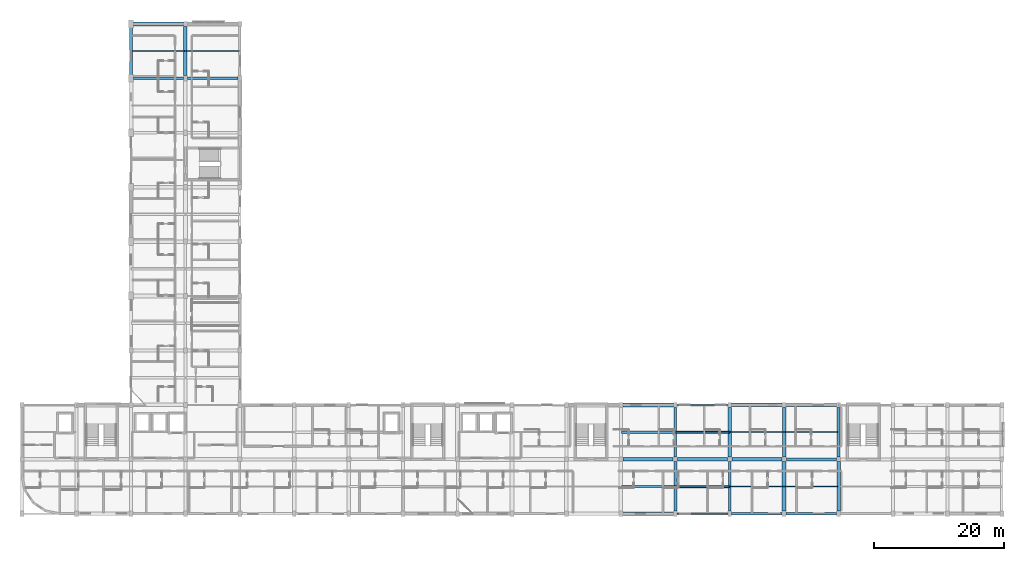
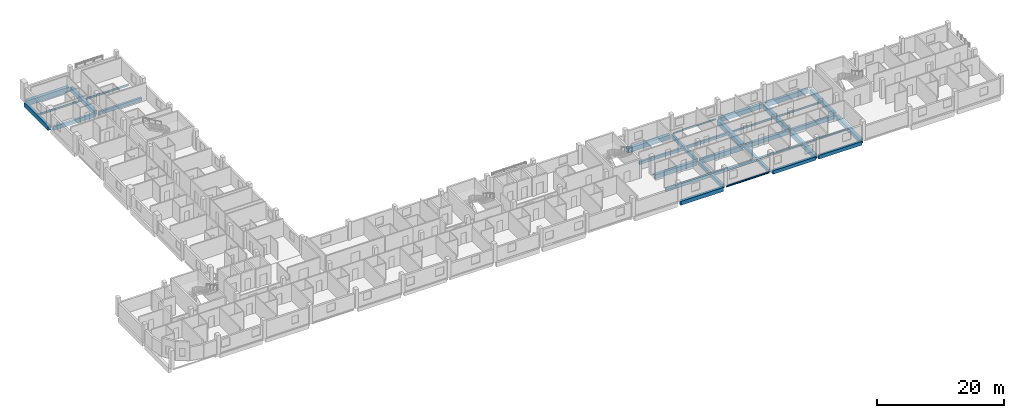
# One storey, part 5 of 26: 35 beams.
"""IFC4 building model written with IfcOpenShell, lengths in metres."""

from ifc_helpers import new_model, si_unit, derived_unit, direction, frame, origin, origin_2d, place, context, subcontext, project, spatial, rectangle, i_section, extrude, material, material_profile, profile_set, type_object, element, save


model = new_model("IFC4")

# Units and contexts
model_context = context("Model", 3, precision=1e-05, world=origin(), true_north=direction((0.0, 1.0)))
body_context = subcontext(model_context, "Body", "Model", "MODEL_VIEW")
ifc_project = project(units=[si_unit("LENGTHUNIT", "METRE"), si_unit("AREAUNIT", "SQUARE_METRE"), si_unit("VOLUMEUNIT", "CUBIC_METRE"), si_unit("PLANEANGLEUNIT", "RADIAN"), si_unit("MASSUNIT", "GRAM", prefix="KILO"), derived_unit("THERMALTRANSMITTANCEUNIT", [(si_unit("POWERUNIT", "WATT"), 1), (si_unit("LENGTHUNIT", "METRE"), -2), (si_unit("THERMODYNAMICTEMPERATUREUNIT", "KELVIN"), -1)])], contexts=[model_context])

# Site, building, storey
site_placement = place(None, origin())
site = spatial("IfcSite", under=ifc_project, at=site_placement, CompositionType="ELEMENT")
building_placement = place(site_placement, origin())
building = spatial("IfcBuilding", under=site, at=building_placement, Name="Barrovel Congress Hotel", CompositionType="ELEMENT")
storey_placement = place(building_placement, frame((0.0, 0.0, 21.89990234375)))
storey = spatial("IfcBuildingStorey", under=building, at=storey_placement, Name="L05", CompositionType="ELEMENT", Elevation=21.89990234375)

# Beams
ifc_material_1 = material(Name="Concrete C40", Category="concrete")
ifc_material_profile_1 = material_profile(ifc_material_1, rectangle(XDim=0.300048828125, YDim=0.5, at=origin_2d()), Name="RC300x500")
ifc_profile_set_1 = profile_set([ifc_material_profile_1], Name="Concrete C40")
beam_type_1 = type_object("IfcBeamType", Name="BM-RC300x500", PredefinedType="JOIST", material=ifc_profile_set_1)
beam_1_placement = place(storey_placement, frame((117.679931640625, 16.800048828125, -0.469970703125), z_axis=(1.0, 0.0, 0.0), x_axis=(0.0, 1.0, 0.0)))
element("IfcBeam", 1, at=beam_1_placement, inside=storey, type_object=beam_type_1, Name="JST:L05:117.6:16.8", PredefinedType="JOIST", context=body_context, shape_type="SweptSolid", body=[
    extrude(rectangle(XDim=0.300048828125, YDim=0.5, at=origin_2d()), origin(), (0.0, 0.0, 1.0), 8.239990234375),
])
ifc_material_profile_2 = material_profile(ifc_material_1, rectangle(XDim=0.300048828125, YDim=0.60009765625, at=origin_2d()), Name="RC300x600")
ifc_profile_set_2 = profile_set([ifc_material_profile_2], Name="Concrete C40")
beam_type_2 = type_object("IfcBeamType", Name="BM-RC300x600", PredefinedType="JOIST", material=ifc_profile_set_2)
beam_2_placement = place(storey_placement, frame((117.679931640625, 8.39990234375, -0.52001953125), z_axis=(1.0, 0.0, 0.0), x_axis=(0.0, 1.0, 0.0)))
element("IfcBeam", 2, at=beam_2_placement, inside=storey, type_object=beam_type_2, Name="JST:L05:117.6:8.4", PredefinedType="JOIST", context=body_context, shape_type="SweptSolid", body=[
    extrude(rectangle(XDim=0.300048828125, YDim=0.60009765625, at=origin_2d()), origin(), (0.0, 0.0, 1.0), 8.239990234375),
])
ifc_material_profile_3 = material_profile(ifc_material_1, rectangle(XDim=0.35009765625, YDim=0.550048828125, at=origin_2d()), Name="RC350x550")
ifc_profile_set_3 = profile_set([ifc_material_profile_3], Name="Concrete C40")
beam_type_3 = type_object("IfcBeamType", Name="BM-RC350x550", PredefinedType="JOIST", material=ifc_profile_set_3)
beam_3_placement = place(storey_placement, frame((109.280029296875, 16.800048828125, -0.494873046875), z_axis=(1.0, 0.0, 0.0), x_axis=(0.0, 1.0, 0.0)))
element("IfcBeam", 3, at=beam_3_placement, inside=storey, type_object=beam_type_3, Name="JST:L05:109.2:16.8", PredefinedType="JOIST", context=body_context, shape_type="SweptSolid", body=[
    extrude(rectangle(XDim=0.35009765625, YDim=0.550048828125, at=origin_2d()), origin(), (0.0, 0.0, 1.0), 8.239990234375),
])
ifc_material_profile_4 = material_profile(ifc_material_1, rectangle(XDim=0.35009765625, YDim=0.64990234375, at=origin_2d()), Name="RC350x650")
ifc_profile_set_4 = profile_set([ifc_material_profile_4], Name="Concrete C40")
beam_type_4 = type_object("IfcBeamType", Name="BM-RC350x650", PredefinedType="JOIST", material=ifc_profile_set_4)
beam_4_placement = place(storey_placement, frame((109.280029296875, 8.39990234375, -0.544921875), z_axis=(1.0, 0.0, 0.0), x_axis=(0.0, 1.0, 0.0)))
element("IfcBeam", 4, at=beam_4_placement, inside=storey, type_object=beam_type_4, Name="JST:L05:109.2:8.4", PredefinedType="JOIST", context=body_context, shape_type="SweptSolid", body=[
    extrude(rectangle(XDim=0.35009765625, YDim=0.64990234375, at=origin_2d()), origin(), (0.0, 0.0, 1.0), 8.239990234375),
])
ifc_material_profile_5 = material_profile(ifc_material_1, rectangle(XDim=0.39990234375, YDim=0.60009765625, at=origin_2d()), Name="RC400x600")
ifc_profile_set_5 = profile_set([ifc_material_profile_5], Name="Concrete C40")
beam_type_5 = type_object("IfcBeamType", Name="BM-RC400x600", PredefinedType="BEAM", material=ifc_profile_set_5)
beam_5_placement = place(storey_placement, frame((42.300048828125, 71.39990234375, -0.52001953125), z_axis=(1.0, 0.0, 0.0), x_axis=(0.0, 1.0, 0.0)))
element("IfcBeam", 5, at=beam_5_placement, inside=storey, type_object=beam_type_5, Name="BMX:L05:71.4:42.0-50.4", PredefinedType="BEAM", context=body_context, shape_type="SweptSolid", body=[
    extrude(rectangle(XDim=0.39990234375, YDim=0.60009765625, at=origin_2d()), origin(), (0.0, 0.0, 1.0), 7.800048828125),
])
beam_6_placement = place(storey_placement, frame((126.0, 4.60009765625, -0.52001953125), z_axis=(0.0, 1.0, 0.0), x_axis=(-1.0, 0.0, 0.0)))
element("IfcBeam", 6, at=beam_6_placement, inside=storey, type_object=beam_type_5, Name="BMY:L05:126.0:4.2-12.6", PredefinedType="BEAM", context=body_context, shape_type="SweptSolid", body=[
    extrude(rectangle(XDim=0.39990234375, YDim=0.60009765625, at=origin_2d()), origin(), (0.0, 0.0, 1.0), 7.6748046875),
])
ifc_material_profile_6 = material_profile(ifc_material_1, rectangle(XDim=0.39990234375, YDim=0.699951171875, at=origin_2d()), Name="RC400x700")
ifc_profile_set_6 = profile_set([ifc_material_profile_6], Name="Concrete C40")
beam_type_6 = type_object("IfcBeamType", Name="BM-RC400x700", PredefinedType="BEAM", material=ifc_profile_set_6)
beam_7_placement = place(storey_placement, frame((134.699951171875, 4.199951171875, -0.56982421875), z_axis=(1.0, 0.0, 0.0), x_axis=(0.0, 1.0, 0.0)))
element("IfcBeam", 7, at=beam_7_placement, inside=storey, type_object=beam_type_6, Name="BMX:L05:4.2:134.4-142.8", PredefinedType="BEAM", context=body_context, shape_type="SweptSolid", body=[
    extrude(rectangle(XDim=0.39990234375, YDim=0.699951171875, at=origin_2d()), origin(), (0.0, 0.0, 1.0), 7.800048828125),
])
beam_8_placement = place(storey_placement, frame((34.0, 71.39990234375, -0.56982421875), z_axis=(1.0, 0.0, 0.0), x_axis=(0.0, 1.0, 0.0)))
element("IfcBeam", 8, at=beam_8_placement, inside=storey, type_object=beam_type_6, Name="BMX:L05:71.4:33.6-42.0", PredefinedType="BEAM", context=body_context, shape_type="SweptSolid", body=[
    extrude(rectangle(XDim=0.39990234375, YDim=0.699951171875, at=origin_2d()), origin(), (0.0, 0.0, 1.0), 7.699951171875),
])
beam_9_placement = place(storey_placement, frame((117.60009765625, 12.925048828125, -0.56982421875), z_axis=(0.0, 1.0, 0.0), x_axis=(-1.0, 0.0, 0.0)))
element("IfcBeam", 9, at=beam_9_placement, inside=storey, type_object=beam_type_6, Name="BMY:L05:117.6:12.6-21.0", PredefinedType="BEAM", context=body_context, shape_type="SweptSolid", body=[
    extrude(rectangle(XDim=0.39990234375, YDim=0.699951171875, at=origin_2d()), origin(), (0.0, 0.0, 1.0), 7.675048828125),
])
ifc_material_profile_7 = material_profile(ifc_material_1, rectangle(XDim=0.449951171875, YDim=0.64990234375, at=origin_2d()), Name="RC450x650")
ifc_profile_set_7 = profile_set([ifc_material_profile_7], Name="Concrete C40")
beam_type_7 = type_object("IfcBeamType", Name="BM-RC450x650", PredefinedType="BEAM", material=ifc_profile_set_7)
beam_10_placement = place(storey_placement, frame((126.300048828125, 4.199951171875, -0.544921875), z_axis=(1.0, 0.0, 0.0), x_axis=(0.0, 1.0, 0.0)))
element("IfcBeam", 10, at=beam_10_placement, inside=storey, type_object=beam_type_7, Name="BMX:L05:4.2:126.0-134.4", PredefinedType="BEAM", context=body_context, shape_type="SweptSolid", body=[
    extrude(rectangle(XDim=0.449951171875, YDim=0.64990234375, at=origin_2d()), origin(), (0.0, 0.0, 1.0), 7.800048828125),
])
beam_11_placement = place(storey_placement, frame((117.60009765625, 4.60009765625, -0.544921875), z_axis=(0.0, 1.0, 0.0), x_axis=(-1.0, 0.0, 0.0)))
element("IfcBeam", 11, at=beam_11_placement, inside=storey, type_object=beam_type_7, Name="BMY:L05:117.6:4.2-12.6", PredefinedType="BEAM", context=body_context, shape_type="SweptSolid", body=[
    extrude(rectangle(XDim=0.449951171875, YDim=0.64990234375, at=origin_2d()), origin(), (0.0, 0.0, 1.0), 7.6748046875),
])
ifc_material_profile_8 = material_profile(ifc_material_1, rectangle(XDim=0.449951171875, YDim=0.75, at=origin_2d()), Name="RC450x750")
ifc_profile_set_8 = profile_set([ifc_material_profile_8], Name="Concrete C40")
beam_type_8 = type_object("IfcBeamType", Name="BM-RC450x750", PredefinedType="BEAM", material=ifc_profile_set_8)
beam_12_placement = place(storey_placement, frame((134.72509765625, 12.60009765625, -0.594970703125), z_axis=(1.0, 0.0, 0.0), x_axis=(0.0, 1.0, 0.0)))
element("IfcBeam", 12, at=beam_12_placement, inside=storey, type_object=beam_type_8, Name="BMX:L05:12.6:134.4-142.8", PredefinedType="BEAM", context=body_context, shape_type="SweptSolid", body=[
    extrude(rectangle(XDim=0.449951171875, YDim=0.75, at=origin_2d()), origin(), (0.0, 0.0, 1.0), 7.75),
])
ifc_material_profile_9 = material_profile(ifc_material_1, rectangle(XDim=0.5, YDim=0.75, at=origin_2d()), Name="RC500x750")
ifc_profile_set_9 = profile_set([ifc_material_profile_9], Name="Concrete C40")
beam_type_9 = type_object("IfcBeamType", Name="BM-RC500x750", PredefinedType="BEAM", material=ifc_profile_set_9)
beam_13_placement = place(storey_placement, frame((109.5, 4.199951171875, -0.594970703125), z_axis=(1.0, 0.0, 0.0), x_axis=(0.0, 1.0, 0.0)))
element("IfcBeam", 13, at=beam_13_placement, inside=storey, type_object=beam_type_9, Name="BMX:L05:4.2:109.2-117.6", PredefinedType="BEAM", context=body_context, shape_type="SweptSolid", body=[
    extrude(rectangle(XDim=0.5, YDim=0.75, at=origin_2d()), origin(), (0.0, 0.0, 1.0), 7.800048828125),
])
beam_14_placement = place(storey_placement, frame((126.324951171875, 12.60009765625, -0.594970703125), z_axis=(1.0, 0.0, 0.0), x_axis=(0.0, 1.0, 0.0)))
element("IfcBeam", 14, at=beam_14_placement, inside=storey, type_object=beam_type_9, Name="BMX:L05:12.6:126.0-134.4", PredefinedType="BEAM", context=body_context, shape_type="SweptSolid", body=[
    extrude(rectangle(XDim=0.5, YDim=0.75, at=origin_2d()), origin(), (0.0, 0.0, 1.0), 7.75),
])
ifc_material_profile_10 = material_profile(ifc_material_1, rectangle(XDim=0.5, YDim=0.85009765625, at=origin_2d()), Name="RC500x850")
ifc_profile_set_10 = profile_set([ifc_material_profile_10], Name="Concrete C40")
beam_type_10 = type_object("IfcBeamType", Name="BM-RC500x850", PredefinedType="BEAM", material=ifc_profile_set_10)
beam_15_placement = place(storey_placement, frame((117.925048828125, 12.60009765625, -0.64501953125), z_axis=(1.0, 0.0, 0.0), x_axis=(0.0, 1.0, 0.0)))
element("IfcBeam", 15, at=beam_15_placement, inside=storey, type_object=beam_type_10, Name="BMX:L05:12.6:117.6-126.0", PredefinedType="BEAM", context=body_context, shape_type="SweptSolid", body=[
    extrude(rectangle(XDim=0.5, YDim=0.85009765625, at=origin_2d()), origin(), (0.0, 0.0, 1.0), 7.75),
])
beam_16_placement = place(storey_placement, frame((134.699951171875, 21.0, -0.64501953125), z_axis=(1.0, 0.0, 0.0), x_axis=(0.0, 1.0, 0.0)))
element("IfcBeam", 16, at=beam_16_placement, inside=storey, type_object=beam_type_10, Name="BMX:L05:21.0:134.4-142.8", PredefinedType="BEAM", context=body_context, shape_type="SweptSolid", body=[
    extrude(rectangle(XDim=0.5, YDim=0.85009765625, at=origin_2d()), origin(), (0.0, 0.0, 1.0), 7.800048828125),
])
beam_17_placement = place(storey_placement, frame((33.60009765625, 71.85009765625, -0.64501953125), z_axis=(0.0, 1.0, 0.0), x_axis=(-1.0, 0.0, 0.0)))
element("IfcBeam", 17, at=beam_17_placement, inside=storey, type_object=beam_type_10, Name="BMY:L05:33.6:71.4-79.8", PredefinedType="BEAM", context=body_context, shape_type="SweptSolid", body=[
    extrude(rectangle(XDim=0.5, YDim=0.85009765625, at=origin_2d()), origin(), (0.0, 0.0, 1.0), 7.5),
])
beam_18_placement = place(storey_placement, frame((142.800048828125, 12.925048828125, -0.64501953125), z_axis=(0.0, 1.0, 0.0), x_axis=(-1.0, 0.0, 0.0)))
element("IfcBeam", 18, at=beam_18_placement, inside=storey, type_object=beam_type_10, Name="BMY:L05:142.8:12.6-21.0", PredefinedType="BEAM", context=body_context, shape_type="SweptSolid", body=[
    extrude(rectangle(XDim=0.5, YDim=0.85009765625, at=origin_2d()), origin(), (0.0, 0.0, 1.0), 7.675048828125),
])
ifc_material_profile_11 = material_profile(ifc_material_1, rectangle(XDim=0.550048828125, YDim=0.800048828125, at=origin_2d()), Name="RC550x800")
ifc_profile_set_11 = profile_set([ifc_material_profile_11], Name="Concrete C40")
beam_type_11 = type_object("IfcBeamType", Name="BM-RC550x800", PredefinedType="BEAM", material=ifc_profile_set_11)
beam_19_placement = place(storey_placement, frame((109.52490234375, 12.60009765625, -0.619873046875), z_axis=(1.0, 0.0, 0.0), x_axis=(0.0, 1.0, 0.0)))
element("IfcBeam", 19, at=beam_19_placement, inside=storey, type_object=beam_type_11, Name="BMX:L05:12.6:109.2-117.6", PredefinedType="BEAM", context=body_context, shape_type="SweptSolid", body=[
    extrude(rectangle(XDim=0.550048828125, YDim=0.800048828125, at=origin_2d()), origin(), (0.0, 0.0, 1.0), 7.75),
])
beam_20_placement = place(storey_placement, frame((126.300048828125, 21.0, -0.619873046875), z_axis=(1.0, 0.0, 0.0), x_axis=(0.0, 1.0, 0.0)))
element("IfcBeam", 20, at=beam_20_placement, inside=storey, type_object=beam_type_11, Name="BMX:L05:21.0:126.0-134.4", PredefinedType="BEAM", context=body_context, shape_type="SweptSolid", body=[
    extrude(rectangle(XDim=0.550048828125, YDim=0.800048828125, at=origin_2d()), origin(), (0.0, 0.0, 1.0), 7.800048828125),
])
beam_21_placement = place(storey_placement, frame((42.0, 71.800048828125, -0.619873046875), z_axis=(0.0, 1.0, 0.0), x_axis=(-1.0, 0.0, 0.0)))
element("IfcBeam", 21, at=beam_21_placement, inside=storey, type_object=beam_type_11, Name="BMY:L05:42.0:71.4-79.8", PredefinedType="BEAM", context=body_context, shape_type="SweptSolid", body=[
    extrude(rectangle(XDim=0.550048828125, YDim=0.800048828125, at=origin_2d()), origin(), (0.0, 0.0, 1.0), 7.599853515625),
])
beam_22_placement = place(storey_placement, frame((142.800048828125, 4.60009765625, -0.619873046875), z_axis=(0.0, 1.0, 0.0), x_axis=(-1.0, 0.0, 0.0)))
element("IfcBeam", 22, at=beam_22_placement, inside=storey, type_object=beam_type_11, Name="BMY:L05:142.8:4.2-12.6", PredefinedType="BEAM", context=body_context, shape_type="SweptSolid", body=[
    extrude(rectangle(XDim=0.550048828125, YDim=0.800048828125, at=origin_2d()), origin(), (0.0, 0.0, 1.0), 7.6748046875),
])
ifc_material_profile_12 = material_profile(ifc_material_1, rectangle(XDim=0.550048828125, YDim=0.89990234375, at=origin_2d()), Name="RC550x900")
ifc_profile_set_12 = profile_set([ifc_material_profile_12], Name="Concrete C40")
beam_type_12 = type_object("IfcBeamType", Name="BM-RC550x900", PredefinedType="BEAM", material=ifc_profile_set_12)
beam_23_placement = place(storey_placement, frame((134.39990234375, 12.925048828125, -0.669921875), z_axis=(0.0, 1.0, 0.0), x_axis=(-1.0, 0.0, 0.0)))
element("IfcBeam", 23, at=beam_23_placement, inside=storey, type_object=beam_type_12, Name="BMY:L05:134.4:12.6-21.0", PredefinedType="BEAM", context=body_context, shape_type="SweptSolid", body=[
    extrude(rectangle(XDim=0.550048828125, YDim=0.89990234375, at=origin_2d()), origin(), (0.0, 0.0, 1.0), 7.675048828125),
])
ifc_material_profile_13 = material_profile(ifc_material_1, rectangle(XDim=0.60009765625, YDim=0.85009765625, at=origin_2d()), Name="RC600x850")
ifc_profile_set_13 = profile_set([ifc_material_profile_13], Name="Concrete C40")
beam_type_13 = type_object("IfcBeamType", Name="BM-RC600x850", PredefinedType="BEAM", material=ifc_profile_set_13)
beam_24_placement = place(storey_placement, frame((109.5, 21.0, -0.64501953125), z_axis=(1.0, 0.0, 0.0), x_axis=(0.0, 1.0, 0.0)))
element("IfcBeam", 24, at=beam_24_placement, inside=storey, type_object=beam_type_13, Name="BMX:L05:21.0:109.2-117.6", PredefinedType="BEAM", context=body_context, shape_type="SweptSolid", body=[
    extrude(rectangle(XDim=0.60009765625, YDim=0.85009765625, at=origin_2d()), origin(), (0.0, 0.0, 1.0), 7.800048828125),
])
beam_25_placement = place(storey_placement, frame((134.39990234375, 4.60009765625, -0.64501953125), z_axis=(0.0, 1.0, 0.0), x_axis=(-1.0, 0.0, 0.0)))
element("IfcBeam", 25, at=beam_25_placement, inside=storey, type_object=beam_type_13, Name="BMY:L05:134.4:4.2-12.6", PredefinedType="BEAM", context=body_context, shape_type="SweptSolid", body=[
    extrude(rectangle(XDim=0.60009765625, YDim=0.85009765625, at=origin_2d()), origin(), (0.0, 0.0, 1.0), 7.6748046875),
])
ifc_material_profile_14 = material_profile(ifc_material_1, rectangle(XDim=0.60009765625, YDim=0.949951171875, at=origin_2d()), Name="RC600x950")
ifc_profile_set_14 = profile_set([ifc_material_profile_14], Name="Concrete C40")
beam_type_14 = type_object("IfcBeamType", Name="BM-RC600x950", PredefinedType="BEAM", material=ifc_profile_set_14)
beam_26_placement = place(storey_placement, frame((34.0, 79.800048828125, -0.69482421875), z_axis=(1.0, 0.0, 0.0), x_axis=(0.0, 1.0, 0.0)))
element("IfcBeam", 26, at=beam_26_placement, inside=storey, type_object=beam_type_14, Name="BMX:L05:79.8:33.6-42.0", PredefinedType="BEAM", context=body_context, shape_type="SweptSolid", body=[
    extrude(rectangle(XDim=0.60009765625, YDim=0.949951171875, at=origin_2d()), origin(), (0.0, 0.0, 1.0), 7.699951171875),
])
beam_27_placement = place(storey_placement, frame((126.0, 12.925048828125, -0.69482421875), z_axis=(0.0, 1.0, 0.0), x_axis=(-1.0, 0.0, 0.0)))
element("IfcBeam", 27, at=beam_27_placement, inside=storey, type_object=beam_type_14, Name="BMY:L05:126.0:12.6-21.0", PredefinedType="BEAM", context=body_context, shape_type="SweptSolid", body=[
    extrude(rectangle(XDim=0.60009765625, YDim=0.949951171875, at=origin_2d()), origin(), (0.0, 0.0, 1.0), 7.675048828125),
])
ifc_material_2 = material(Name="Steel ASTM A992 Grade 50", Category="steel")
ifc_material_profile_15 = material_profile(ifc_material_2, i_section(OverallWidth=0.201904296875, OverallDepth=0.2470703125, WebThickness=0.00732421875, FlangeThickness=0.010986328125, FilletRadius=0.011962890625, at=origin_2d()), Name="W250x49")
ifc_profile_set_15 = profile_set([ifc_material_profile_15], Name="Steel ASTM A992 Grade 50")
beam_type_15 = type_object("IfcBeamType", Name="SBM-W250x49", PredefinedType="SPANDREL", material=ifc_profile_set_15)
beam_28_placement = place(storey_placement, frame((117.89990234375, 21.0, -0.343505859375), z_axis=(1.0, 0.0, 0.0), x_axis=(0.0, 1.0, 0.0)))
element("IfcBeam", 28, at=beam_28_placement, inside=storey, type_object=beam_type_15, Name="BMX:L05:21.0:117.6-126.0", PredefinedType="SPANDREL", context=body_context, shape_type="SweptSolid", body=[
    extrude(i_section(OverallWidth=0.201904296875, OverallDepth=0.2470703125, WebThickness=0.00732421875, FlangeThickness=0.010986328125, FilletRadius=0.011962890625, at=origin_2d()), origin(), (0.0, 0.0, 1.0), 7.800048828125),
])
ifc_material_profile_16 = material_profile(ifc_material_2, i_section(OverallWidth=0.1669921875, OverallDepth=0.31689453125, WebThickness=0.007568359375, FlangeThickness=0.01318359375, FilletRadius=0.010986328125, at=origin_2d()), Name="W310x52")
ifc_profile_set_16 = profile_set([ifc_material_profile_16], Name="Steel ASTM A992 Grade 50")
beam_type_16 = type_object("IfcBeamType", Name="SBM-W310x52", PredefinedType="JOIST", material=ifc_profile_set_16)
beam_29_placement = place(storey_placement, frame((134.47998046875, 16.800048828125, -0.37841796875), z_axis=(1.0, 0.0, 0.0), x_axis=(0.0, 1.0, 0.0)))
element("IfcBeam", 29, at=beam_29_placement, inside=storey, type_object=beam_type_16, Name="JST:L05:134.4:16.8", PredefinedType="JOIST", context=body_context, shape_type="SweptSolid", body=[
    extrude(i_section(OverallWidth=0.1669921875, OverallDepth=0.31689453125, WebThickness=0.007568359375, FlangeThickness=0.01318359375, FilletRadius=0.010986328125, at=origin_2d()), origin(), (0.0, 0.0, 1.0), 8.239990234375),
])
ifc_material_profile_17 = material_profile(ifc_material_2, i_section(OverallWidth=0.205078125, OverallDepth=0.31005859375, WebThickness=0.009521484375, FlangeThickness=0.016357421875, FilletRadius=0.012939453125, at=origin_2d()), Name="W310x74")
ifc_profile_set_17 = profile_set([ifc_material_profile_17], Name="Steel ASTM A992 Grade 50")
beam_type_17 = type_object("IfcBeamType", Name="SBM-W310x74", PredefinedType="SPANDREL", material=ifc_profile_set_17)
beam_30_placement = place(storey_placement, frame((117.89990234375, 4.199951171875, -0.375), z_axis=(1.0, 0.0, 0.0), x_axis=(0.0, 1.0, 0.0)))
element("IfcBeam", 30, at=beam_30_placement, inside=storey, type_object=beam_type_17, Name="BMX:L05:4.2:117.6-126.0", PredefinedType="SPANDREL", context=body_context, shape_type="SweptSolid", body=[
    extrude(i_section(OverallWidth=0.205078125, OverallDepth=0.31005859375, WebThickness=0.009521484375, FlangeThickness=0.016357421875, FilletRadius=0.012939453125, at=origin_2d()), origin(), (0.0, 0.0, 1.0), 7.800048828125),
])
ifc_material_profile_18 = material_profile(ifc_material_2, i_section(OverallWidth=0.1708984375, OverallDepth=0.35205078125, WebThickness=0.0068359375, FlangeThickness=0.009765625, FilletRadius=0.011962890625, at=origin_2d()), Name="W360x44")
ifc_profile_set_18 = profile_set([ifc_material_profile_18], Name="Steel ASTM A992 Grade 50")
beam_type_18 = type_object("IfcBeamType", Name="SBM-W360x44", PredefinedType="JOIST", material=ifc_profile_set_18)
for number, where, z_axis, x_axis, name in (
    (31, (33.679931640625, 75.60009765625, -0.39599609375), (1.0, 0.0, 0.0), (0.0, 1.0, 0.0), "JST:L05:33.6:75.6"),
    (32, (134.47998046875, 8.39990234375, -0.39599609375), (1.0, 0.0, 0.0), (0.0, 1.0, 0.0), "JST:L05:134.4:8.4"),
):
    element("IfcBeam", number, at=place(storey_placement, frame(where, z_axis=z_axis, x_axis=x_axis)), inside=storey, type_object=beam_type_18, Name=name, PredefinedType="JOIST", context=body_context, shape_type="SweptSolid", body=[
        extrude(i_section(OverallWidth=0.1708984375, OverallDepth=0.35205078125, WebThickness=0.0068359375, FlangeThickness=0.009765625, FilletRadius=0.011962890625, at=origin_2d()), origin(), (0.0, 0.0, 1.0), 8.239990234375),
    ])
ifc_material_profile_19 = material_profile(ifc_material_2, i_section(OverallWidth=0.172119140625, OverallDepth=0.35791015625, WebThickness=0.0078125, FlangeThickness=0.01318359375, FilletRadius=0.011962890625, at=origin_2d()), Name="W360x57")
ifc_profile_set_19 = profile_set([ifc_material_profile_19], Name="Steel ASTM A992 Grade 50")
beam_type_19 = type_object("IfcBeamType", Name="SBM-W360x57", PredefinedType="JOIST", material=ifc_profile_set_19)
for number, where, z_axis, x_axis, name in (
    (33, (42.080078125, 75.60009765625, -0.39892578125), (1.0, 0.0, 0.0), (0.0, 1.0, 0.0), "JST:L05:42.0:75.6"),
    (34, (126.080078125, 16.800048828125, -0.39892578125), (1.0, 0.0, 0.0), (0.0, 1.0, 0.0), "JST:L05:126.0:16.8"),
):
    element("IfcBeam", number, at=place(storey_placement, frame(where, z_axis=z_axis, x_axis=x_axis)), inside=storey, type_object=beam_type_19, Name=name, PredefinedType="JOIST", context=body_context, shape_type="SweptSolid", body=[
        extrude(i_section(OverallWidth=0.172119140625, OverallDepth=0.35791015625, WebThickness=0.0078125, FlangeThickness=0.01318359375, FilletRadius=0.011962890625, at=origin_2d()), origin(), (0.0, 0.0, 1.0), 8.239990234375),
    ])
ifc_material_profile_20 = material_profile(ifc_material_2, i_section(OverallWidth=0.177001953125, OverallDepth=0.403076171875, WebThickness=0.007568359375, FlangeThickness=0.010986328125, FilletRadius=0.011962890625, at=origin_2d()), Name="W410x53")
ifc_profile_set_20 = profile_set([ifc_material_profile_20], Name="Steel ASTM A992 Grade 50")
beam_type_20 = type_object("IfcBeamType", Name="SBM-W410x53", PredefinedType="JOIST", material=ifc_profile_set_20)
beam_31_placement = place(storey_placement, frame((126.080078125, 8.39990234375, -0.42138671875), z_axis=(1.0, 0.0, 0.0), x_axis=(0.0, 1.0, 0.0)))
element("IfcBeam", 35, at=beam_31_placement, inside=storey, type_object=beam_type_20, Name="JST:L05:126.0:8.4", PredefinedType="JOIST", context=body_context, shape_type="SweptSolid", body=[
    extrude(i_section(OverallWidth=0.177001953125, OverallDepth=0.403076171875, WebThickness=0.007568359375, FlangeThickness=0.010986328125, FilletRadius=0.011962890625, at=origin_2d()), origin(), (0.0, 0.0, 1.0), 8.239990234375),
])

save(model, "model.ifc")
